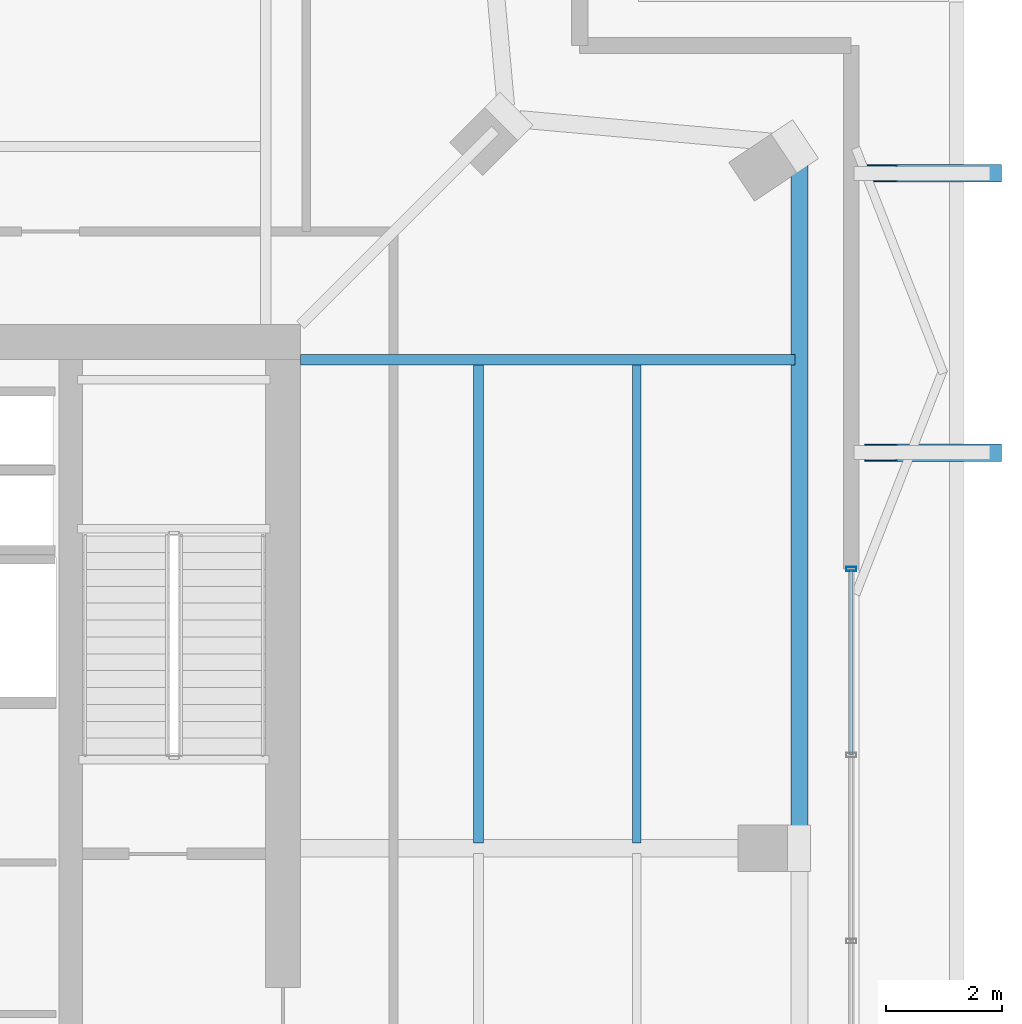
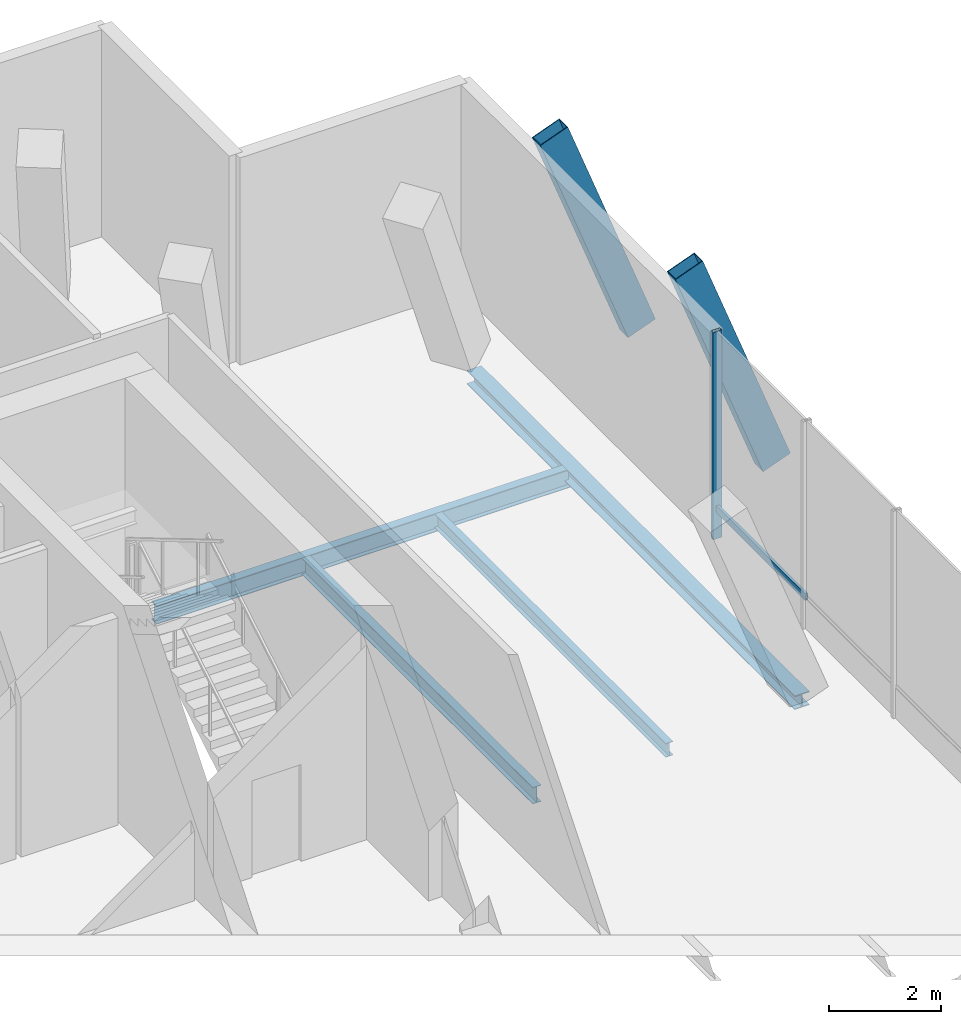
# One storey, part 11 of 18: 4 beams, 4 members, 1 element without a shape of its own.
"""IFC4 building model written with IfcOpenShell, lengths in metres."""

from ifc_helpers import new_model, si_unit, direction, frame, origin, origin_2d, place, context, subcontext, project, spatial, hollow_rectangle, i_section, extrude, material, layer, layer_set, material_profile, profile_set, type_object, element, aggregate, save


model = new_model("IFC4")

# Units and contexts
model_context = context("Model", 3, precision=1e-05, world=origin(), true_north=direction((0.0, 1.0)))
body_context = subcontext(model_context, "Body", "Model", "MODEL_VIEW")
ifc_project = project(units=[si_unit("LENGTHUNIT", "METRE"), si_unit("AREAUNIT", "SQUARE_METRE"), si_unit("VOLUMEUNIT", "CUBIC_METRE"), si_unit("PLANEANGLEUNIT", "RADIAN"), si_unit("MASSUNIT", "GRAM", prefix="KILO")], contexts=[model_context])

# Site, building, storey
site_placement = place(None, origin())
site = spatial("IfcSite", under=ifc_project, at=site_placement, CompositionType="ELEMENT")
building_placement = place(site_placement, origin())
building = spatial("IfcBuilding", under=site, at=building_placement, Name="Belovzor Exchange Tower", CompositionType="ELEMENT")
storey_placement = place(building_placement, frame((0.0, 0.0, 369.0)))
storey = spatial("IfcBuildingStorey", under=building, at=storey_placement, Name="L92", CompositionType="ELEMENT", Elevation=369.0)

# Beams
ifc_material_1 = material(Name="Steel S355", Category="steel")
ifc_material_profile_1 = material_profile(ifc_material_1, i_section(OverallWidth=0.300048828125, OverallDepth=0.300048828125, WebThickness=0.010986328125, FlangeThickness=0.01904296875, at=origin_2d()))
ifc_profile_set_1 = profile_set([ifc_material_profile_1], Name="Steel S355")
beam_type_1 = type_object("IfcBeamType", Name="Crown Plant Primary Beam HEB 300", PredefinedType="BEAM", material=ifc_profile_set_1)
beam_1_placement = place(storey_placement, frame((46.3798828125, 29.02001953125, -0.449951171875), z_axis=(0.0, 1.0, 0.0), x_axis=(-1.0, 0.0, 0.0)))
element("IfcBeam", 1, at=beam_1_placement, inside=storey, type_object=beam_type_1, Name="FG-CR Crown Plant Primary Beam HEB 300", PredefinedType="BEAM", context=body_context, shape_type="SweptSolid", body=[
    extrude(i_section(OverallWidth=0.300048828125, OverallDepth=0.300048828125, WebThickness=0.010986328125, FlangeThickness=0.01904296875, at=origin_2d()), origin(), (0.0, 0.0, 1.0), 11.659912109375),
])
ifc_material_2 = material(Name="Steel S355", Category="steel")
ifc_material_profile_2 = material_profile(ifc_material_2, i_section(OverallWidth=0.169921875, OverallDepth=0.360107421875, WebThickness=0.008056640625, FlangeThickness=0.0126953125, at=origin_2d()))
ifc_profile_set_2 = profile_set([ifc_material_profile_2], Name="Steel S355")
beam_type_2 = type_object("IfcBeamType", Name="Secondary Infill Floor Joist IPE 360", PredefinedType="BEAM", material=ifc_profile_set_2)
beam_2_placement = place(storey_placement, frame((40.862060546875, 28.889892578125, -0.47998046875), z_axis=(0.0, 1.0, 0.0), x_axis=(-1.0, 0.0, 0.0)))
element("IfcBeam", 2, at=beam_2_placement, inside=storey, type_object=beam_type_2, Name="FJ-360 Secondary Infill Floor Joist IPE 360", PredefinedType="BEAM", context=body_context, shape_type="SweptSolid", body=[
    extrude(i_section(OverallWidth=0.169921875, OverallDepth=0.360107421875, WebThickness=0.008056640625, FlangeThickness=0.0126953125, at=origin_2d()), origin(), (0.0, 0.0, 1.0), 8.22021484375),
])
ifc_material_3 = material(Name="Steel S355", Category="steel")
ifc_material_profile_3 = material_profile(ifc_material_3, i_section(OverallWidth=0.14990234375, OverallDepth=0.300048828125, WebThickness=0.007080078125, FlangeThickness=0.0107421875, at=origin_2d()))
ifc_profile_set_3 = profile_set([ifc_material_profile_3], Name="Steel S355")
beam_type_3 = type_object("IfcBeamType", Name="Secondary Trim Floor Joist IPE 300", PredefinedType="BEAM", material=ifc_profile_set_3)
beam_3_placement = place(storey_placement, frame((43.5830078125, 28.889892578125, -0.449951171875), z_axis=(0.0, 1.0, 0.0), x_axis=(-1.0, 0.0, 0.0)))
element("IfcBeam", 3, at=beam_3_placement, inside=storey, type_object=beam_type_3, Name="FJ-300 Secondary Trim Floor Joist IPE 300", PredefinedType="BEAM", context=body_context, shape_type="SweptSolid", body=[
    extrude(i_section(OverallWidth=0.14990234375, OverallDepth=0.300048828125, WebThickness=0.007080078125, FlangeThickness=0.0107421875, at=origin_2d()), origin(), (0.0, 0.0, 1.0), 8.22021484375),
])

# Curtain wall, members
ifc_material_4 = material(Name="Anodised Aluminium Framing", Category="aluminium")
ifc_layer = layer(ifc_material_4, 0.169921875)
ifc_layer_set = layer_set([ifc_layer], Name="Anodised Aluminium Framing")
curtain_wall_type = type_object("IfcCurtainWallType", Name="Stepped Crown Faceted Lantern Curtain Wall", PredefinedType="NOTDEFINED", material=ifc_layer_set)
curtain_wall_placement = place(storey_placement, origin())
curtain_wall = element("IfcCurtainWall", 4, at=curtain_wall_placement, inside=storey, type_object=curtain_wall_type, Name="CW6 Stepped Crown Faceted Lantern Curtain Wall L92", PredefinedType="NOTDEFINED")
ifc_material_5 = material(Name="Steel S355", Category="steel")
ifc_material_profile_4 = material_profile(ifc_material_5, hollow_rectangle(XDim=0.074951171875, YDim=0.179931640625, WallThickness=0.0048828125, at=origin_2d()))
ifc_profile_set_4 = profile_set([ifc_material_profile_4], Name="Steel S355")
member_type_1 = type_object("IfcMemberType", Name="Thermally Broken Curtain Wall Mullion 180x75", PredefinedType="MULLION", material=ifc_profile_set_4)
member_1_placement = place(storey_placement, frame((47.27001953125, 33.60009765625, 0.0), z_axis=(0.0, 0.0, 1.0), x_axis=(0.0, -1.0, 0.0)))
member_1 = element("IfcMember", 5, at=member_1_placement, type_object=member_type_1, Name="CW-M180 Curtain Wall Mullion 1", PredefinedType="MULLION", context=body_context, shape_type="SweptSolid", body=[
    extrude(hollow_rectangle(XDim=0.074951171875, YDim=0.179931640625, WallThickness=0.0048828125, at=origin_2d()), origin(), (0.0, 0.0, 1.0), 4.5),
])
ifc_material_6 = material(Name="Steel S355", Category="steel")
ifc_material_profile_5 = material_profile(ifc_material_6, hollow_rectangle(XDim=0.06005859375, YDim=0.14990234375, WallThickness=0.00390625, at=origin_2d()))
ifc_profile_set_5 = profile_set([ifc_material_profile_5], Name="Steel S355")
member_type_2 = type_object("IfcMemberType", Name="Thermally Broken Curtain Wall Transom 150x60", PredefinedType="USERDEFINED", material=ifc_profile_set_5)
member_2_placement = place(storey_placement, frame((47.27001953125, 33.592041015625, 0.64990234375), z_axis=(0.0, -1.0, 0.0), x_axis=(1.0, 0.0, 0.0)))
member_2 = element("IfcMember", 6, at=member_2_placement, type_object=member_type_2, Name="CW-T150 Curtain Wall Transom 1", ObjectType="TRANSOM", PredefinedType="USERDEFINED", context=body_context, shape_type="SweptSolid", body=[
    extrude(hollow_rectangle(XDim=0.06005859375, YDim=0.14990234375, WallThickness=0.00390625, at=origin_2d()), origin(), (0.0, 0.0, 1.0), 3.18408203125),
])
aggregate(curtain_wall, [member_1, member_2])

# Members
ifc_material_7 = material(Name="Extruded Architectural Terracotta on Steel S355 Carrier", Category="masonry")
ifc_material_profile_6 = material_profile(ifc_material_7, hollow_rectangle(XDim=0.300048828125, YDim=0.60009765625, WallThickness=0.01611328125, at=origin_2d()))
ifc_profile_set_6 = profile_set([ifc_material_profile_6], Name="Extruded Architectural Terracotta on Steel S355 Carrier")
member_type_3 = type_object("IfcMemberType", Name="Upper Crown Terracotta Fin Assembly 550", PredefinedType="USERDEFINED", material=ifc_profile_set_6)
for number, where, z_axis, x_axis, name in (
    (7, (49.574951171875, 35.60009765625, -0.300048828125), (-0.351128660605, 0.0, 0.936327220421), (0.0, -1.0, 0.0), "FIN-TC055 Terracotta Facade Fin L92 E3"),
    (8, (49.574951171875, 40.39990234375, -0.300048828125), (-0.351128660605, 0.0, 0.936327220421), (0.0, -1.0, 0.0), "FIN-TC055 Terracotta Facade Fin L92 E4"),
):
    element("IfcMember", number, at=place(storey_placement, frame(where, z_axis=z_axis, x_axis=x_axis)), inside=storey, type_object=member_type_3, Name=name, ObjectType="FIN", PredefinedType="USERDEFINED", context=body_context, shape_type="SweptSolid", body=[
        extrude(hollow_rectangle(XDim=0.300048828125, YDim=0.60009765625, WallThickness=0.01611328125, at=origin_2d()), origin(), (0.0, 0.0, 1.0), 5.12646484375),
    ])

# Beam
ifc_material_8 = material(Name="Steel S355", Category="steel")
ifc_material_profile_7 = material_profile(ifc_material_8, i_section(OverallWidth=0.179931640625, OverallDepth=0.39990234375, WebThickness=0.008544921875, FlangeThickness=0.013427734375, at=origin_2d()))
ifc_profile_set_7 = profile_set([ifc_material_profile_7], Name="Steel S355")
beam_type_4 = type_object("IfcBeamType", Name="Zone 5-6 Radial Composite Floor Beam IPE 400", PredefinedType="BEAM", material=ifc_profile_set_7)
beam_4_placement = place(storey_placement, frame((37.800048828125, 37.199951171875, -0.5), z_axis=(1.0, 0.0, 0.0), x_axis=(0.0, 1.0, 0.0)))
element("IfcBeam", 9, at=beam_4_placement, inside=storey, type_object=beam_type_4, Name="FB-400 Zone 5-6 Radial Composite Floor Beam IPE 400", PredefinedType="BEAM", context=body_context, shape_type="SweptSolid", body=[
    extrude(i_section(OverallWidth=0.179931640625, OverallDepth=0.39990234375, WebThickness=0.008544921875, FlangeThickness=0.013427734375, at=origin_2d()), origin(), (0.0, 0.0, 1.0), 8.5048828125),
])

save(model, "model.ifc")
